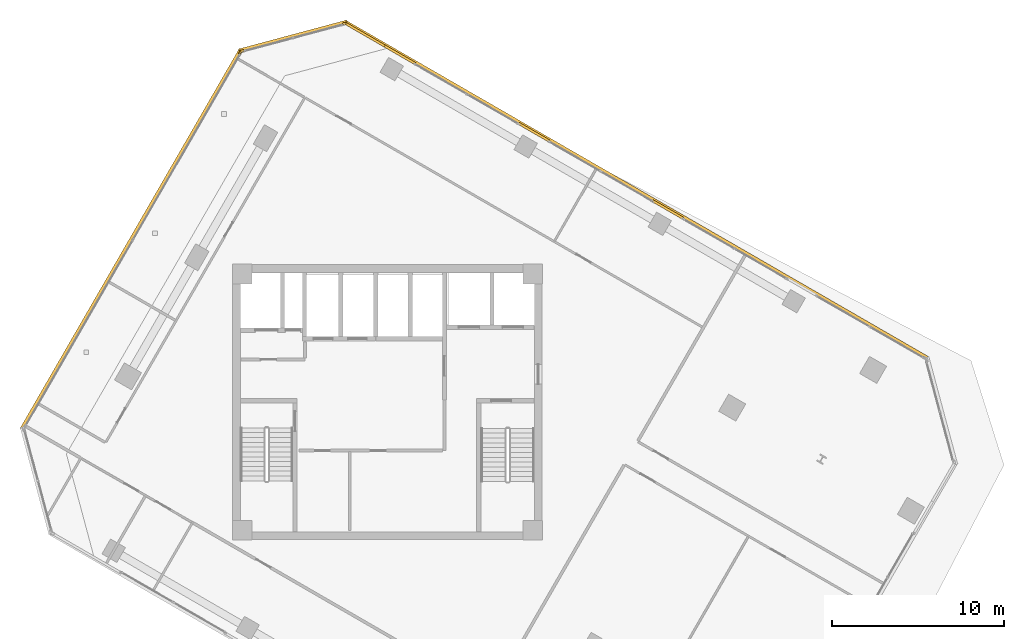
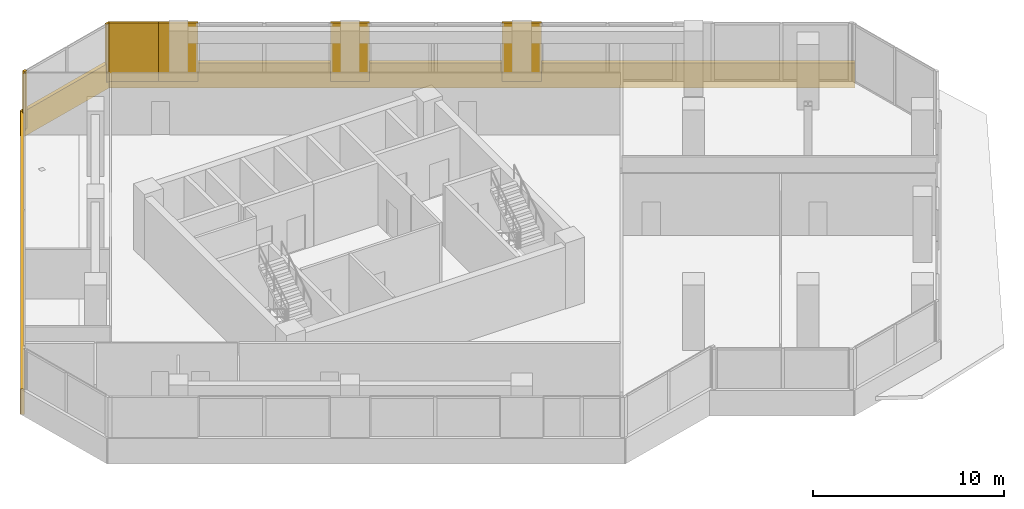
# One storey, part 21 of 21: 10 coverings.
"""IFC4 building model written with IfcOpenShell, lengths in metres."""

from ifc_helpers import new_model, si_unit, direction, frame, origin, origin_2d, place, context, subcontext, project, spatial, rectangle, extrude, source, transform, mapped, material, layer, layer_set, type_object, element, save


model = new_model("IFC4")

# Units and contexts
model_context = context("Model", 3, precision=1e-05, world=origin(), true_north=direction((0.0, 1.0)))
body_context = subcontext(model_context, "Body", "Model", "MODEL_VIEW")
ifc_project = project(units=[si_unit("LENGTHUNIT", "METRE"), si_unit("AREAUNIT", "SQUARE_METRE"), si_unit("VOLUMEUNIT", "CUBIC_METRE"), si_unit("PLANEANGLEUNIT", "RADIAN"), si_unit("MASSUNIT", "GRAM", prefix="KILO")], contexts=[model_context])

# Site, building, storey
site_placement = place(None, origin())
site = spatial("IfcSite", under=ifc_project, at=site_placement, CompositionType="ELEMENT")
building_placement = place(site_placement, origin())
building = spatial("IfcBuilding", under=site, at=building_placement, Name="Torre Montelarca", CompositionType="ELEMENT")
storey_placement = place(building_placement, frame((0.0, 0.0, 179.199951171875)))
storey = spatial("IfcBuildingStorey", under=building, at=storey_placement, Name="L40", CompositionType="ELEMENT", Elevation=179.199951171875)

# Coverings
ifc_material = material(Name="Bush-hammered warm white precast concrete C45/55", Category="concrete")
ifc_layer = layer(ifc_material, 0.139892578125, Name="Bush-hammered warm white precast concrete C45/55", Category="concrete")
ifc_layer_set = layer_set([ifc_layer], Name="Bush-hammered warm white precast concrete C45/55")
covering_type = type_object("IfcCoveringType", Name="COV-TRAY-CLAD", PredefinedType="CLADDING", material=ifc_layer_set)
shared_shape_1 = source(origin(), body_context, "Body", "SweptSolid", [
    extrude(rectangle(XDim=6.48388671875, YDim=0.219970703125, at=origin_2d()), origin(), (0.0, 0.0, 1.0), 1.6201171875),
])
covering_1_placement = place(storey_placement, frame((12.504638671875, 53.277099609375, -0.449951171875), z_axis=(0.0, 0.0, 1.0), x_axis=(-0.965926278012, -0.258817359244, 0.0)))
element("IfcCovering", 1, at=covering_1_placement, inside=storey, type_object=covering_type, Name="L40 Architectural White Spandrel Tray Band TRYBOT-09", PredefinedType="CLADDING", context=body_context, shape_type="MappedRepresentation", body=[
    mapped(shared_shape_1, transform((0.0, 0.0, 0.0), scale=1.0)),
])
shared_shape_2 = source(origin(), body_context, "Body", "SweptSolid", [
    extrude(rectangle(XDim=25.52001953125, YDim=0.219970703125, at=origin_2d()), origin(), (0.0, 0.0, 1.0), 1.6201171875),
])
covering_2_placement = place(storey_placement, frame((3.099365234375, 41.468994140625, -0.449951171875), z_axis=(0.0, 0.0, 1.0), x_axis=(-0.500001511499, -0.866024531118, 0.0)))
element("IfcCovering", 2, at=covering_2_placement, inside=storey, type_object=covering_type, Name="L40 Architectural White Spandrel Tray Band TRYBOT-10", PredefinedType="CLADDING", context=body_context, shape_type="MappedRepresentation", body=[
    mapped(shared_shape_2, transform((0.0, 0.0, 0.0), scale=1.0)),
])
shared_shape_3 = source(origin(), body_context, "Body", "SweptSolid", [
    extrude(rectangle(XDim=0.199951171875, YDim=0.139892578125, at=origin_2d()), origin(), (0.0, 0.0, 1.0), 3.719970703125),
])
for number, where, z_axis, x_axis, name in (
    (3, (15.481689453125, 54.0126953125, 0.0), (0.0, 0.0, 1.0), (-0.965925826289, -0.258819045103, 0.0), "L40 Architectural Column Pier Cladding E09-1"),
    (4, (9.55859375, 52.425537109375, 0.0), (0.0, 0.0, 1.0), (-0.965925826289, -0.258819045103, 0.0), "L40 Architectural Column Pier Cladding E09-2"),
    (5, (9.443359375, 52.337158203125, 0.0), (0.0, 0.0, 1.0), (-0.500001511499, -0.866024531118, 0.0), "L40 Architectural Column Pier Cladding E10-1"),
):
    element("IfcCovering", number, at=place(storey_placement, frame(where, z_axis=z_axis, x_axis=x_axis)), inside=storey, type_object=covering_type, Name=name, PredefinedType="CLADDING", context=body_context, shape_type="MappedRepresentation", body=[
        mapped(shared_shape_3, transform((0.0, 0.0, 0.0), scale=1.0)),
    ])
shared_shape_4 = source(origin(), body_context, "Body", "SweptSolid", [
    extrude(rectangle(XDim=39.219970703125, YDim=0.219970703125, at=origin_2d()), origin(), (0.0, 0.0, 1.0), 1.6201171875),
])
covering_3_placement = place(storey_placement, frame((32.486083984375, 44.32861328125, -0.449951171875), z_axis=(0.0, 0.0, 1.0), x_axis=(-0.866025403784, 0.5, 0.0)))
element("IfcCovering", 6, at=covering_3_placement, inside=storey, type_object=covering_type, Name="L40 Architectural White Spandrel Tray Band TRYBOT-08", PredefinedType="CLADDING", context=body_context, shape_type="MappedRepresentation", body=[
    mapped(shared_shape_4, transform((0.0, 0.0, 0.0), scale=1.0)),
])
shared_shape_5 = source(origin(), body_context, "Body", "SweptSolid", [
    extrude(rectangle(XDim=2.06005859375, YDim=0.139892578125, at=origin_2d()), origin(), (0.0, 0.0, 1.0), 3.719970703125),
])
for number, where, z_axis, x_axis, name in (
    (7, (34.318115234375, 43.20166015625, 0.0), (0.0, 0.0, 1.0), (-0.866025403784, 0.5, 0.0), "L40 Architectural Column Pier Cladding E08-3"),
    (8, (26.52392578125, 47.70166015625, 0.0), (0.0, 0.0, 1.0), (-0.866025403784, 0.5, 0.0), "L40 Architectural Column Pier Cladding E08-4"),
    (9, (18.729736328125, 52.20166015625, 0.0), (0.0, 0.0, 1.0), (-0.866025403784, 0.5, 0.0), "L40 Architectural Column Pier Cladding E08-5"),
):
    element("IfcCovering", number, at=place(storey_placement, frame(where, z_axis=z_axis, x_axis=x_axis)), inside=storey, type_object=covering_type, Name=name, PredefinedType="CLADDING", context=body_context, shape_type="MappedRepresentation", body=[
        mapped(shared_shape_5, transform((0.0, 0.0, 0.0), scale=1.0)),
    ])
shared_shape_6 = source(origin(), body_context, "Body", "SweptSolid", [
    extrude(rectangle(XDim=2.754150390625, YDim=0.139892578125, at=origin_2d()), origin(), (0.0, 0.0, 1.0), 3.719970703125),
])
covering_4_placement = place(storey_placement, frame((16.731689453125, 53.355224609375, 0.0), z_axis=(0.0, 0.0, 1.0), x_axis=(-0.866025403784, 0.5, 0.0)))
element("IfcCovering", 10, at=covering_4_placement, inside=storey, type_object=covering_type, Name="L40 Architectural Column Pier Cladding E08-6", PredefinedType="CLADDING", context=body_context, shape_type="MappedRepresentation", body=[
    mapped(shared_shape_6, transform((0.0, 0.0, 0.0), scale=1.0)),
])

save(model, "model.ifc")
